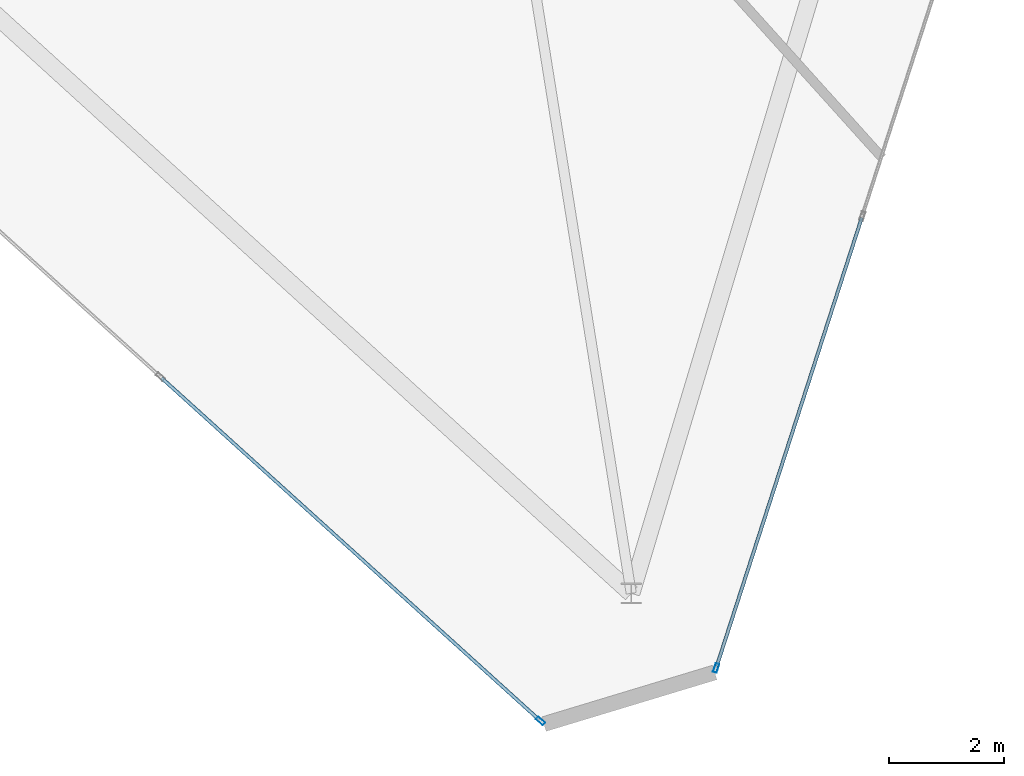
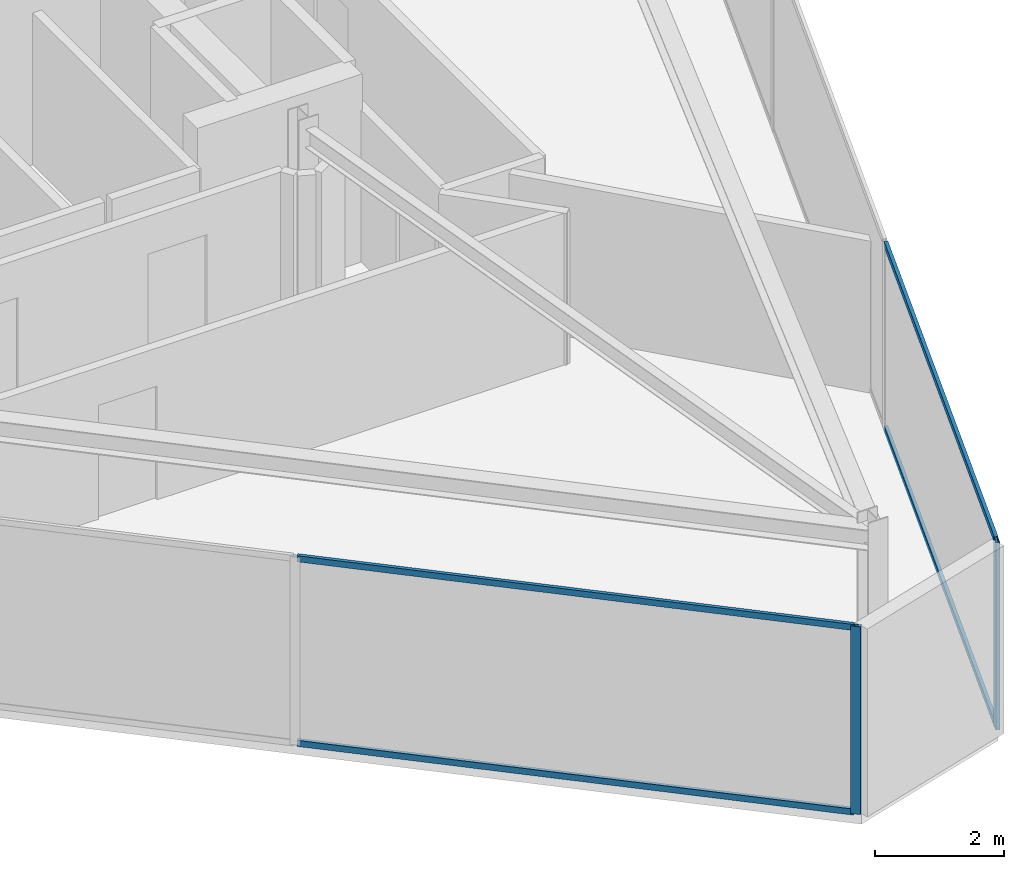
# One storey, part 4 of 14: 6 members, 2 elements without a shape of their own.
"""IFC4 building model written with IfcOpenShell, lengths in metres."""

from ifc_helpers import new_model, si_unit, direction, frame, origin, origin_2d, place, context, subcontext, project, spatial, hollow_rectangle, extrude, material, layer, layer_set, material_profile, profile_set, type_object, element, aggregate, save


model = new_model("IFC4")

# Units and contexts
model_context = context("Model", 3, precision=1e-05, world=origin(), true_north=direction((0.0, 1.0)))
body_context = subcontext(model_context, "Body", "Model", "MODEL_VIEW")
ifc_project = project(units=[si_unit("LENGTHUNIT", "METRE"), si_unit("AREAUNIT", "SQUARE_METRE"), si_unit("VOLUMEUNIT", "CUBIC_METRE"), si_unit("PLANEANGLEUNIT", "RADIAN"), si_unit("MASSUNIT", "GRAM", prefix="KILO")], contexts=[model_context])

# Site, building, storey
site_placement = place(None, origin())
site = spatial("IfcSite", under=ifc_project, at=site_placement, CompositionType="ELEMENT")
building_placement = place(site_placement, origin())
building = spatial("IfcBuilding", under=site, at=building_placement, Name="Qianvela Tower", CompositionType="ELEMENT")
storey_placement = place(building_placement, frame((0.0, 0.0, 363.800048828125)))
storey = spatial("IfcBuildingStorey", under=building, at=storey_placement, Name="L94", CompositionType="ELEMENT", Elevation=363.800048828125)

# Curtain wall, member
ifc_material_1 = material(Name="Anodised Architectural Aluminium and Low-E Glass", Category="aluminium")
ifc_layer = layer(ifc_material_1, 0.159912109375)
ifc_layer_set = layer_set([ifc_layer], Name="Anodised Architectural Aluminium and Low-E Glass")
curtain_wall_type = type_object("IfcCurtainWallType", Name="CW-CROWN", PredefinedType="USERDEFINED", material=ifc_layer_set)
curtain_wall_1_placement = place(storey_placement, origin())
curtain_wall_1 = element("IfcCurtainWall", 1, at=curtain_wall_1_placement, inside=storey, type_object=curtain_wall_type, Name="L94 CW-CROWN Curtain Wall 04", ObjectType="CURTAIN_WALL_SYSTEM", PredefinedType="USERDEFINED")
ifc_material_2 = material(Name="Anodised Architectural Aluminium 6063-T6", Category="aluminium")
ifc_material_profile_1 = material_profile(ifc_material_2, hollow_rectangle(XDim=0.06494140625, YDim=0.159912109375, WallThickness=0.0048828125, at=origin_2d()), Name="ALU-MULL-65x160")
ifc_profile_set_1 = profile_set([ifc_material_profile_1], Name="Anodised Architectural Aluminium 6063-T6")
member_type_1 = type_object("IfcMemberType", Name="CW-CROWN-MULL", PredefinedType="MULLION", material=ifc_profile_set_1)
member_1_placement = place(storey_placement, frame((39.030029296875, 7.815185546875, 0.0), z_axis=(0.0, 0.0, 1.0), x_axis=(0.671203657734, 0.741272992793, 0.0)))
member_1 = element("IfcMember", 2, at=member_1_placement, type_object=member_type_1, Name="CW-8 mullion 4", PredefinedType="MULLION", context=body_context, shape_type="SweptSolid", body=[
    extrude(hollow_rectangle(XDim=0.06494140625, YDim=0.159912109375, WallThickness=0.0048828125, at=origin_2d()), origin(), (0.0, 0.0, 1.0), 3.550048828125),
])

curtain_wall_2_placement = place(storey_placement, origin())
curtain_wall_2 = element("IfcCurtainWall", 3, at=curtain_wall_2_placement, inside=storey, type_object=curtain_wall_type, Name="L94 CW-CROWN Curtain Wall 06", ObjectType="CURTAIN_WALL_SYSTEM", PredefinedType="USERDEFINED")
member_2_placement = place(storey_placement, frame((42.07568359375, 8.733642578125, 0.0), z_axis=(0.0, 0.0, 1.0), x_axis=(-0.951477858016, 0.307717217108, 0.0)))
member_2 = element("IfcMember", 4, at=member_2_placement, type_object=member_type_1, Name="CW-8 mullion 1", PredefinedType="MULLION", context=body_context, shape_type="SweptSolid", body=[
    extrude(hollow_rectangle(XDim=0.06494140625, YDim=0.159912109375, WallThickness=0.0048828125, at=origin_2d()), origin(), (0.0, 0.0, 1.0), 3.550048828125),
])

# Member
ifc_material_3 = material(Name="Anodised Architectural Aluminium 6063-T6", Category="aluminium")
ifc_material_profile_2 = material_profile(ifc_material_3, hollow_rectangle(XDim=0.06005859375, YDim=0.114990234375, WallThickness=0.00390625, at=origin_2d()), Name="ALU-TRAN-60x115")
ifc_profile_set_2 = profile_set([ifc_material_profile_2], Name="Anodised Architectural Aluminium 6063-T6")
member_type_2 = type_object("IfcMemberType", Name="CW-CROWN-TRAN", PredefinedType="USERDEFINED", material=ifc_profile_set_2)
member_3_placement = place(storey_placement, frame((32.469970703125, 13.75537109375, 0.030029296875), z_axis=(0.741264154654, -0.671213418389, 0.0), x_axis=(0.671213418389, 0.741264154654, 0.0)))
member_3 = element("IfcMember", 5, at=member_3_placement, type_object=member_type_2, Name="CW-8 transom 3.1", ObjectType="TRANSOM", PredefinedType="USERDEFINED", context=body_context, shape_type="SweptSolid", body=[
    extrude(hollow_rectangle(XDim=0.06005859375, YDim=0.114990234375, WallThickness=0.00390625, at=origin_2d()), origin(), (0.0, 0.0, 1.0), 8.817626953125),
])

member_4_placement = place(storey_placement, frame((32.469970703125, 13.75537109375, 3.52001953125), z_axis=(0.741264154654, -0.671213418389, 0.0), x_axis=(0.671213418389, 0.741264154654, 0.0)))
member_4 = element("IfcMember", 6, at=member_4_placement, type_object=member_type_2, Name="CW-8 transom 3.2", ObjectType="TRANSOM", PredefinedType="USERDEFINED", context=body_context, shape_type="SweptSolid", body=[
    extrude(hollow_rectangle(XDim=0.06005859375, YDim=0.114990234375, WallThickness=0.00390625, at=origin_2d()), origin(), (0.0, 0.0, 1.0), 8.817626953125),
])

aggregate(curtain_wall_1, [member_1, member_3, member_4])

member_5_placement = place(storey_placement, frame((42.085693359375, 8.764404296875, 0.030029296875), z_axis=(0.307735873242, 0.951471824238, 0.0), x_axis=(-0.951471824238, 0.307735873242, 0.0)))
member_5 = element("IfcMember", 7, at=member_5_placement, type_object=member_type_2, Name="CW-8 transom 1.1", ObjectType="TRANSOM", PredefinedType="USERDEFINED", context=body_context, shape_type="SweptSolid", body=[
    extrude(hollow_rectangle(XDim=0.06005859375, YDim=0.114990234375, WallThickness=0.00390625, at=origin_2d()), origin(), (0.0, 0.0, 1.0), 8.162841796875),
])

member_6_placement = place(storey_placement, frame((42.085693359375, 8.764404296875, 3.52001953125), z_axis=(0.307735873242, 0.951471824238, 0.0), x_axis=(-0.951471824238, 0.307735873242, 0.0)))
member_6 = element("IfcMember", 8, at=member_6_placement, type_object=member_type_2, Name="CW-8 transom 1.2", ObjectType="TRANSOM", PredefinedType="USERDEFINED", context=body_context, shape_type="SweptSolid", body=[
    extrude(hollow_rectangle(XDim=0.06005859375, YDim=0.114990234375, WallThickness=0.00390625, at=origin_2d()), origin(), (0.0, 0.0, 1.0), 8.162841796875),
])

aggregate(curtain_wall_2, [member_2, member_5, member_6])

save(model, "model.ifc")
